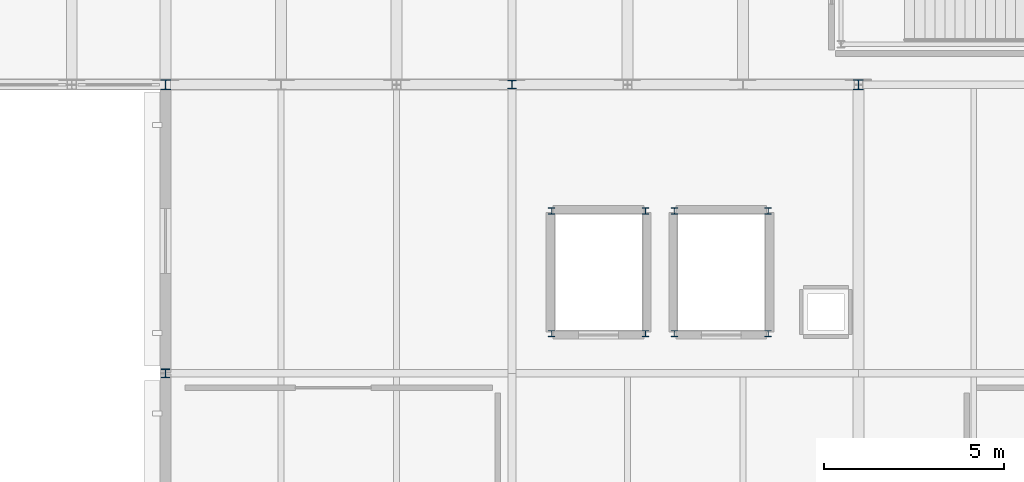
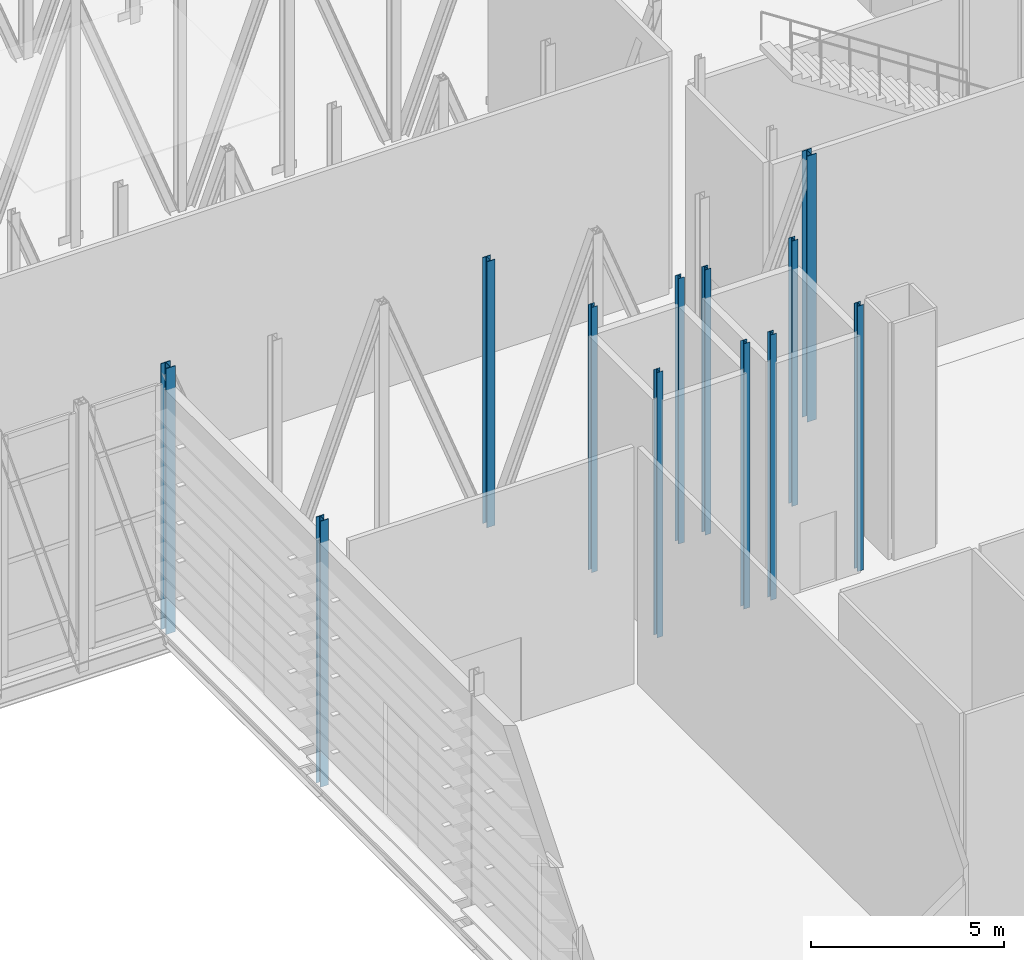
# One storey, part 4 of 73: 12 columns.
"""IFC4 building model written with IfcOpenShell, lengths in metres."""

from ifc_helpers import new_model, si_unit, direction, frame, origin, origin_2d, place, context, subcontext, project, spatial, i_section, extrude, material, material_profile, profile_set, type_object, element, save


model = new_model("IFC4")

# Units and contexts
model_context = context("Model", 3, precision=1e-05, world=origin(), true_north=direction((0.0, 1.0)))
body_context = subcontext(model_context, "Body", "Model", "MODEL_VIEW")
ifc_project = project(units=[si_unit("LENGTHUNIT", "METRE"), si_unit("AREAUNIT", "SQUARE_METRE"), si_unit("VOLUMEUNIT", "CUBIC_METRE"), si_unit("PLANEANGLEUNIT", "RADIAN"), si_unit("MASSUNIT", "GRAM", prefix="KILO")], contexts=[model_context])

# Site, building, storey
site_placement = place(None, origin())
site = spatial("IfcSite", under=ifc_project, at=site_placement, CompositionType="ELEMENT")
building_placement = place(site_placement, origin())
building = spatial("IfcBuilding", under=site, at=building_placement, Name="Alderhovde Museum", CompositionType="ELEMENT")
storey_placement = place(building_placement, frame((0.0, 0.0, 17.39990234375)))
storey = spatial("IfcBuildingStorey", under=building, at=storey_placement, Name="L04", CompositionType="ELEMENT", Elevation=17.39990234375)

# Columns
ifc_material_1 = material(Name="Steel S355J2", Category="steel")
ifc_material_profile_1 = material_profile(ifc_material_1, i_section(OverallWidth=0.179931640625, OverallDepth=0.1708984375, WebThickness=0.006103515625, FlangeThickness=0.009521484375, FilletRadius=0.014892578125, at=origin_2d()), Name="HEA 180")
ifc_profile_set_1 = profile_set([ifc_material_profile_1], Name="Steel S355J2")
column_type_1 = type_object("IfcColumnType", Name="COL-HEA180", PredefinedType="COLUMN", material=ifc_profile_set_1)
for number, where, z_axis, x_axis, name in (
    (1, (20.300048828125, 73.10009765625, 0.0), (0.0, 0.0, 1.0), (1.0, 0.0, 0.0), "L04 Lift PL-01 Shaft Column 1"),
    (2, (22.89990234375, 73.10009765625, 0.0), (0.0, 0.0, 1.0), (1.0, 0.0, 0.0), "L04 Lift PL-01 Shaft Column 2"),
    (3, (22.89990234375, 76.5, 0.0), (0.0, 0.0, 1.0), (1.0, 0.0, 0.0), "L04 Lift PL-01 Shaft Column 3"),
    (4, (20.300048828125, 76.5, 0.0), (0.0, 0.0, 1.0), (1.0, 0.0, 0.0), "L04 Lift PL-01 Shaft Column 4"),
    (5, (23.699951171875, 73.10009765625, 0.0), (0.0, 0.0, 1.0), (1.0, 0.0, 0.0), "L04 Lift PL-02 Shaft Column 1"),
    (6, (26.300048828125, 73.10009765625, 0.0), (0.0, 0.0, 1.0), (1.0, 0.0, 0.0), "L04 Lift PL-02 Shaft Column 2"),
    (7, (26.300048828125, 76.5, 0.0), (0.0, 0.0, 1.0), (1.0, 0.0, 0.0), "L04 Lift PL-02 Shaft Column 3"),
    (8, (23.699951171875, 76.5, 0.0), (0.0, 0.0, 1.0), (1.0, 0.0, 0.0), "L04 Lift PL-02 Shaft Column 4"),
):
    element("IfcColumn", number, at=place(storey_placement, frame(where, z_axis=z_axis, x_axis=x_axis)), inside=storey, type_object=column_type_1, Name=name, PredefinedType="COLUMN", context=body_context, shape_type="SweptSolid", body=[
        extrude(i_section(OverallWidth=0.179931640625, OverallDepth=0.1708984375, WebThickness=0.006103515625, FlangeThickness=0.009521484375, FilletRadius=0.014892578125, at=origin_2d()), origin(), (0.0, 0.0, 1.0), 8.400146484375),
    ])
ifc_material_2 = material(Name="Steel S355J2", Category="steel")
ifc_material_profile_2 = material_profile(ifc_material_2, i_section(OverallWidth=0.239990234375, OverallDepth=0.239990234375, WebThickness=0.010009765625, FlangeThickness=0.01708984375, FilletRadius=0.02099609375, at=origin_2d()), Name="HEB 240")
ifc_profile_set_2 = profile_set([ifc_material_profile_2], Name="Steel S355J2")
column_type_2 = type_object("IfcColumnType", Name="COL-HEB240", PredefinedType="COLUMN", material=ifc_profile_set_2)
for number, where, z_axis, x_axis, name in (
    (9, (9.60009765625, 72.0, -0.27978515625), (0.0, 0.0, 1.0), (1.0, 0.0, 0.0), "L04 Column (9.6, 72.0)"),
    (10, (19.199951171875, 80.0, -0.27978515625), (0.0, 0.0, 1.0), (1.0, 0.0, 0.0), "L04 Column (19.2, 80.0)"),
):
    element("IfcColumn", number, at=place(storey_placement, frame(where, z_axis=z_axis, x_axis=x_axis)), inside=storey, type_object=column_type_2, Name=name, PredefinedType="COLUMN", context=body_context, shape_type="SweptSolid", body=[
        extrude(i_section(OverallWidth=0.239990234375, OverallDepth=0.239990234375, WebThickness=0.010009765625, FlangeThickness=0.01708984375, FilletRadius=0.02099609375, at=origin_2d()), origin(), (0.0, 0.0, 1.0), 8.419921875),
    ])
ifc_material_3 = material(Name="Steel S355J2", Category="steel")
ifc_material_profile_3 = material_profile(ifc_material_3, i_section(OverallWidth=0.280029296875, OverallDepth=0.280029296875, WebThickness=0.010498046875, FlangeThickness=0.01806640625, FilletRadius=0.02392578125, at=origin_2d()), Name="HEB 280")
ifc_profile_set_3 = profile_set([ifc_material_profile_3], Name="Steel S355J2")
column_type_3 = type_object("IfcColumnType", Name="COL-HEB280", PredefinedType="COLUMN", material=ifc_profile_set_3)
for number, where, z_axis, x_axis, name in (
    (11, (9.60009765625, 80.0, -0.27978515625), (0.0, 0.0, 1.0), (1.0, 0.0, 0.0), "L04 Column (9.6, 80.0)"),
    (12, (28.800048828125, 80.0, -0.27978515625), (0.0, 0.0, 1.0), (1.0, 0.0, 0.0), "L04 Column (28.8, 80.0)"),
):
    element("IfcColumn", number, at=place(storey_placement, frame(where, z_axis=z_axis, x_axis=x_axis)), inside=storey, type_object=column_type_3, Name=name, PredefinedType="COLUMN", context=body_context, shape_type="SweptSolid", body=[
        extrude(i_section(OverallWidth=0.280029296875, OverallDepth=0.280029296875, WebThickness=0.010498046875, FlangeThickness=0.01806640625, FilletRadius=0.02392578125, at=origin_2d()), origin(), (0.0, 0.0, 1.0), 8.419921875),
    ])

save(model, "model.ifc")
